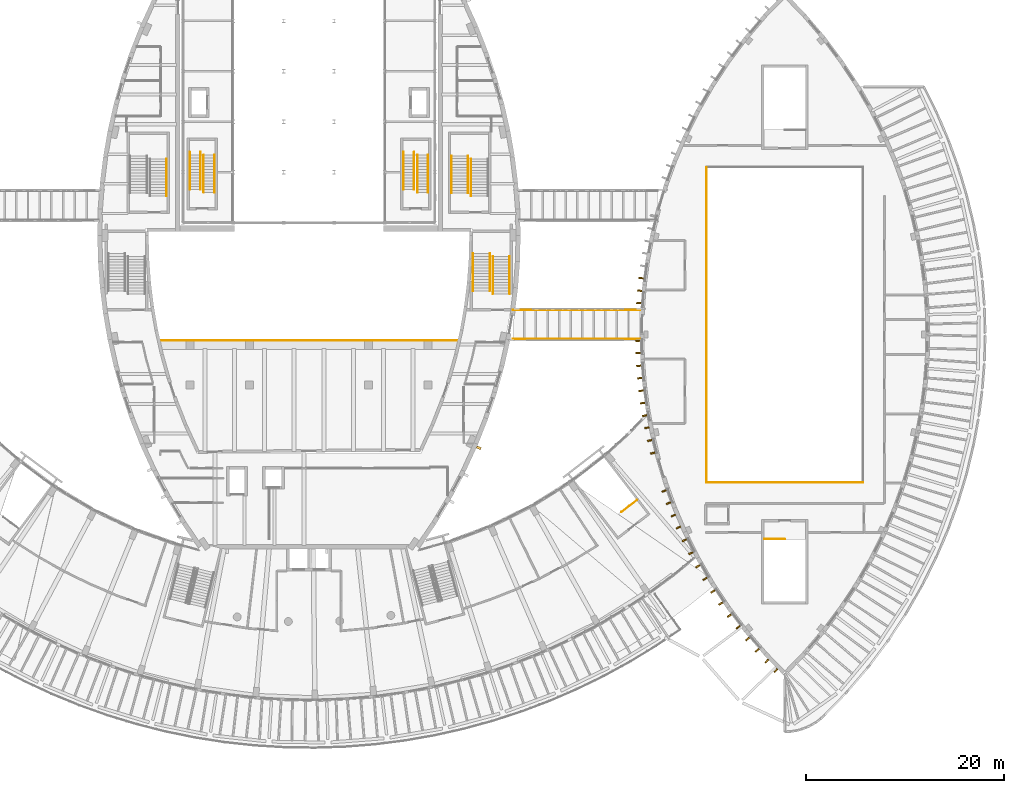
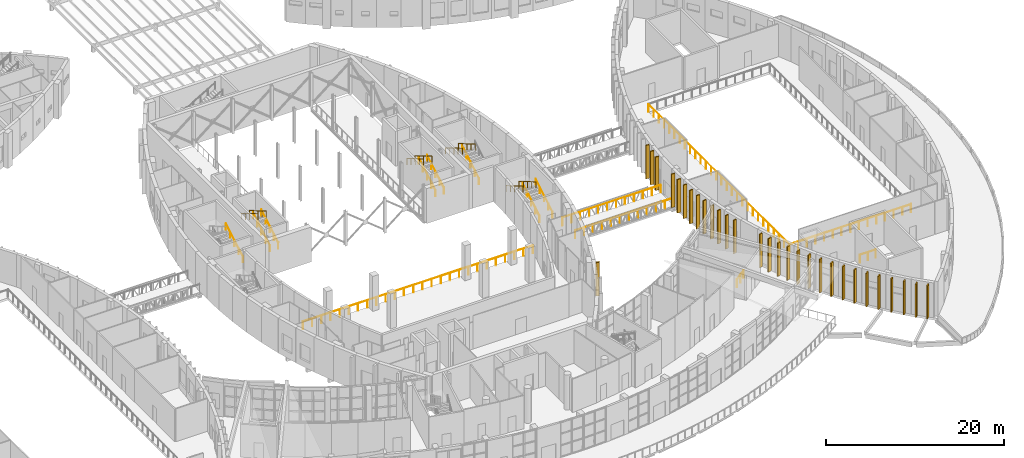
# One storey, part 86 of 93: 30 shading devices, 22 railings.
"""IFC4 building model written with IfcOpenShell, lengths in metres."""

from ifc_helpers import new_model, si_unit, direction, frame, origin, origin_2d, place, context, subcontext, project, spatial, rectangle, circle, extrude, material, layer, layer_set, type_object, element, save


model = new_model("IFC4")

# Units and contexts
model_context = context("Model", 3, precision=1e-05, world=origin(), true_north=direction((0.0, 1.0)))
body_context = subcontext(model_context, "Body", "Model", "MODEL_VIEW")
ifc_project = project(units=[si_unit("LENGTHUNIT", "METRE"), si_unit("AREAUNIT", "SQUARE_METRE"), si_unit("VOLUMEUNIT", "CUBIC_METRE"), si_unit("PLANEANGLEUNIT", "RADIAN"), si_unit("MASSUNIT", "GRAM", prefix="KILO")], contexts=[model_context])

# Site, building, storey
site_placement = place(None, origin())
site = spatial("IfcSite", under=ifc_project, at=site_placement, CompositionType="ELEMENT")
building_placement = place(site_placement, origin())
building = spatial("IfcBuilding", under=site, at=building_placement, Name="Tide Square Theatres", CompositionType="ELEMENT")
storey_placement = place(building_placement, frame((0.0, 0.0, 5.39990234375)))
storey = spatial("IfcBuildingStorey", under=building, at=storey_placement, Name="L01", CompositionType="ELEMENT", Elevation=5.39990234375)

# Shading devices
ifc_material_1 = material(Name="Concrete C40", Category="concrete")
ifc_layer = layer(ifc_material_1, 0.14990234375)
ifc_layer_set = layer_set([ifc_layer], Name="Concrete C40")
shading_device_type = type_object("IfcShadingDeviceType", Name="Concrete fin 450", PredefinedType="USERDEFINED", material=ifc_layer_set)
shading_device_placement = place(storey_placement, frame((101.13330078125, 33.55908203125, 0.0), z_axis=(0.0, 0.0, 1.0), x_axis=(0.416344267901, 0.90920704495, 0.0)))
element("IfcShadingDevice", 1, at=shading_device_placement, inside=storey, type_object=shading_device_type, Name="Concrete fin", ObjectType="BRISE-SOLEIL FIN", PredefinedType="USERDEFINED", context=body_context, shape_type="SweptSolid", body=[
    extrude(rectangle(XDim=0.25, YDim=0.449951171875, at=origin_2d()), origin(), (0.0, 0.0, 1.0), 4.60009765625),
])
for number, where, z_axis, x_axis, name in (
    (2, (117.496826171875, 50.686279296875, 0.0), (0.0, 0.0, 1.0), (-0.130785747402, -0.991410655721, 0.0), "Concrete fin"),
    (3, (117.36279296875, 49.41259765625, 0.0), (0.0, 0.0, 1.0), (-0.078615690168, -0.996904997108, 0.0), "Concrete fin"),
    (4, (117.2646484375, 48.167724609375, 0.0), (0.0, 0.0, 1.0), (-0.078615690168, -0.996904997108, 0.0), "Concrete fin"),
    (5, (117.16455078125, 44.359619140625, 0.0), (0.0, 0.0, 1.0), (0.026229290207, -0.999655952983, 0.0), "Concrete fin"),
    (6, (117.197509765625, 43.111328125, 0.0), (0.0, 0.0, 1.0), (0.026229290207, -0.999655952983, 0.0), "Concrete fin"),
    (7, (117.2646484375, 41.832275390625, 0.0), (0.0, 0.0, 1.0), (0.078615690168, -0.996904997108, 0.0), "Concrete fin"),
    (8, (117.36279296875, 40.58740234375, 0.0), (0.0, 0.0, 1.0), (0.078615690168, -0.996904997108, 0.0), "Concrete fin"),
    (9, (117.496826171875, 39.313720703125, 0.0), (0.0, 0.0, 1.0), (0.130785747402, -0.991410655721, 0.0), "Concrete fin"),
    (10, (117.66015625, 38.07568359375, 0.0), (0.0, 0.0, 1.0), (0.130785747402, -0.991410655721, 0.0), "Concrete fin"),
    (11, (117.86083984375, 36.810791015625, 0.0), (0.0, 0.0, 1.0), (0.182630214616, -0.983181674315, 0.0), "Concrete fin"),
    (12, (118.0888671875, 35.583251953125, 0.0), (0.0, 0.0, 1.0), (0.182630214616, -0.983181674315, 0.0), "Concrete fin"),
    (13, (118.36376953125, 34.30078125, 0.0), (0.0, 0.0, 1.0), (0.235142113103, -0.971961000579, 0.0), "Concrete fin"),
    (14, (118.67138671875, 33.029052734375, 0.0), (0.0, 0.0, 1.0), (0.235142113103, -0.971961000579, 0.0), "Concrete fin"),
    (15, (119.82177734375, 29.206787109375, 0.0), (0.0, 0.0, 1.0), (0.340379550213, -0.94028812701, 0.0), "Concrete fin"),
    (16, (120.26708984375, 27.976806640625, 0.0), (0.0, 0.0, 1.0), (0.340379550213, -0.94028812701, 0.0), "Concrete fin"),
    (17, (120.75830078125, 26.727783203125, 0.0), (0.0, 0.0, 1.0), (0.391518211689, -0.920170359181, 0.0), "Concrete fin"),
    (18, (121.2705078125, 25.5244140625, 0.0), (0.0, 0.0, 1.0), (0.391518211689, -0.920170359181, 0.0), "Concrete fin"),
    (19, (121.865966796875, 24.235595703125, 0.0), (0.0, 0.0, 1.0), (0.444338125475, -0.895859157596, 0.0), "Concrete fin"),
    (20, (122.5146484375, 22.927734375, 0.0), (0.0, 0.0, 1.0), (0.444338125475, -0.895859157596, 0.0), "Concrete fin"),
    (21, (123.220947265625, 21.607421875, 0.0), (0.0, 0.0, 1.0), (0.498442348463, -0.866922848504, 0.0), "Concrete fin"),
    (22, (123.948486328125, 20.341796875, 0.0), (0.0, 0.0, 1.0), (0.498442348463, -0.866922848504, 0.0), "Concrete fin"),
    (23, (124.734130859375, 19.0673828125, 0.0), (0.0, 0.0, 1.0), (0.550611870889, -0.834761383652, 0.0), "Concrete fin"),
    (24, (125.537841796875, 17.848876953125, 0.0), (0.0, 0.0, 1.0), (0.550611870889, -0.834761383652, 0.0), "Concrete fin"),
    (25, (126.400390625, 16.625, 0.0), (0.0, 0.0, 1.0), (0.600769096416, -0.799422599625, 0.0), "Concrete fin"),
    (26, (127.277099609375, 15.458251953125, 0.0), (0.0, 0.0, 1.0), (0.600769096416, -0.799422599625, 0.0), "Concrete fin"),
    (27, (128.22998046875, 14.2705078125, 0.0), (0.0, 0.0, 1.0), (0.649434776644, -0.760417300491, 0.0), "Concrete fin"),
    (28, (129.21044921875, 13.12255859375, 0.0), (0.0, 0.0, 1.0), (0.649434776644, -0.760417300491, 0.0), "Concrete fin"),
    (29, (130.183349609375, 12.04931640625, 0.0), (0.0, 0.0, 1.0), (0.696351345115, -0.717701054867, 0.0), "Concrete fin"),
    (30, (131.095458984375, 11.109130859375, 0.0), (0.0, 0.0, 1.0), (0.696351345115, -0.717701054867, 0.0), "Concrete fin"),
):
    element("IfcShadingDevice", number, at=place(storey_placement, frame(where, z_axis=z_axis, x_axis=x_axis)), inside=storey, type_object=shading_device_type, Name=name, ObjectType="BRISE-SOLEIL FIN", PredefinedType="USERDEFINED", context=body_context, shape_type="SweptSolid", body=[
        extrude(rectangle(XDim=0.14990234375, YDim=0.449951171875, at=origin_2d()), origin(), (0.0, 0.0, 1.0), 4.60009765625),
    ])

# Railings
ifc_material_2 = material(Name="Painted steel", Category="steel")
railing_type_1 = type_object("IfcRailingType", Name="Steel guard 1100", PredefinedType="GUARDRAIL", material=ifc_material_2)
for number, where, name in (
    (31, (117.399169921875, 47.449951171875, 0.0), "Bridge BR-E2 guard"),
    (32, (117.399169921875, 44.550048828125, 0.0), "Bridge BR-E2 guard"),
):
    element("IfcRailing", number, at=place(storey_placement, frame(where)), inside=storey, type_object=railing_type_1, Name=name, PredefinedType="GUARDRAIL", context=body_context, shape_type="SweptSolid", body=[
        extrude(circle(Radius=0.02392578125, at=origin_2d()), frame((0.0, 0.0, 1.076171875), z_axis=(-1.0, 0.0, 0.0), x_axis=(0.0, -1.0, 0.0)), (0.0, 0.0, 1.0), 12.83544921875),
        extrude(circle(Radius=0.02099609375, at=origin_2d()), origin(), (0.0, 0.0, 1.0), 1.052001953125),
        extrude(circle(Radius=0.02099609375, at=origin_2d()), frame((-1.166748046875, 0.0, 0.0)), (0.0, 0.0, 1.0), 1.052001953125),
        extrude(circle(Radius=0.02099609375, at=origin_2d()), frame((-2.333740234375, 0.0, 0.0)), (0.0, 0.0, 1.0), 1.052001953125),
        extrude(circle(Radius=0.02099609375, at=origin_2d()), frame((-3.50048828125, 0.0, 0.0)), (0.0, 0.0, 1.0), 1.052001953125),
        extrude(circle(Radius=0.02099609375, at=origin_2d()), frame((-4.66748046875, 0.0, 0.0)), (0.0, 0.0, 1.0), 1.052001953125),
        extrude(circle(Radius=0.02099609375, at=origin_2d()), frame((-5.834228515625, 0.0, 0.0)), (0.0, 0.0, 1.0), 1.052001953125),
        extrude(circle(Radius=0.02099609375, at=origin_2d()), frame((-7.001220703125, 0.0, 0.0)), (0.0, 0.0, 1.0), 1.052001953125),
        extrude(circle(Radius=0.02099609375, at=origin_2d()), frame((-8.16796875, 0.0, 0.0)), (0.0, 0.0, 1.0), 1.052001953125),
        extrude(circle(Radius=0.02099609375, at=origin_2d()), frame((-9.3349609375, 0.0, 0.0)), (0.0, 0.0, 1.0), 1.052001953125),
        extrude(circle(Radius=0.02099609375, at=origin_2d()), frame((-10.501708984375, 0.0, 0.0)), (0.0, 0.0, 1.0), 1.052001953125),
        extrude(circle(Radius=0.02099609375, at=origin_2d()), frame((-11.668701171875, 0.0, 0.0)), (0.0, 0.0, 1.0), 1.052001953125),
        extrude(circle(Radius=0.02099609375, at=origin_2d()), frame((-12.83544921875, 0.0, 0.0)), (0.0, 0.0, 1.0), 1.052001953125),
    ])
railing_1_placement = place(storey_placement, frame((129.929931640625, 24.351806640625, 0.0)))
element("IfcRailing", 33, at=railing_1_placement, inside=storey, type_object=railing_type_1, Name="Black Box Theatre stair well guard", PredefinedType="GUARDRAIL", context=body_context, shape_type="SweptSolid", body=[
    extrude(circle(Radius=0.02490234375, at=origin_2d()), frame((0.0, 0.0, 1.0751953125), z_axis=(1.0, 0.0, 0.0), x_axis=(0.0, 1.0, 0.0)), (0.0, 0.0, 1.0), 2.070068359375),
    extrude(circle(Radius=0.02001953125, at=origin_2d()), origin(), (0.0, 0.0, 1.0), 1.050048828125),
    extrude(circle(Radius=0.02001953125, at=origin_2d()), frame((1.03515625, 0.0, 0.0)), (0.0, 0.0, 1.0), 1.050048828125),
    extrude(circle(Radius=0.02001953125, at=origin_2d()), frame((2.070068359375, 0.0, 0.0)), (0.0, 0.0, 1.0), 1.050048828125),
])
railing_2_placement = place(storey_placement, frame((69.05126953125, 44.3798828125, 0.0)))
element("IfcRailing", 34, at=railing_2_placement, inside=storey, type_object=railing_type_1, Name="Dress circle front guard", PredefinedType="GUARDRAIL", context=body_context, shape_type="SweptSolid", body=[
    extrude(circle(Radius=0.02490234375, at=origin_2d()), frame((0.0, 0.0, 1.0751953125), z_axis=(1.0, 0.0, 0.0), x_axis=(0.0, 1.0, 0.0)), (0.0, 0.0, 1.0), 29.8974609375),
    extrude(circle(Radius=0.02001953125, at=origin_2d()), origin(), (0.0, 0.0, 1.0), 1.050048828125),
    extrude(circle(Radius=0.02001953125, at=origin_2d()), frame((1.19580078125, 0.0, 0.0)), (0.0, 0.0, 1.0), 1.050048828125),
    extrude(circle(Radius=0.02001953125, at=origin_2d()), frame((2.391845703125, 0.0, 0.0)), (0.0, 0.0, 1.0), 1.050048828125),
    extrude(circle(Radius=0.02001953125, at=origin_2d()), frame((3.587646484375, 0.0, 0.0)), (0.0, 0.0, 1.0), 1.050048828125),
    extrude(circle(Radius=0.02001953125, at=origin_2d()), frame((4.78369140625, 0.0, 0.0)), (0.0, 0.0, 1.0), 1.050048828125),
    extrude(circle(Radius=0.02001953125, at=origin_2d()), frame((5.9794921875, 0.0, 0.0)), (0.0, 0.0, 1.0), 1.050048828125),
    extrude(circle(Radius=0.02001953125, at=origin_2d()), frame((7.17529296875, 0.0, 0.0)), (0.0, 0.0, 1.0), 1.050048828125),
    extrude(circle(Radius=0.02001953125, at=origin_2d()), frame((8.371337890625, 0.0, 0.0)), (0.0, 0.0, 1.0), 1.050048828125),
    extrude(circle(Radius=0.02001953125, at=origin_2d()), frame((9.567138671875, 0.0, 0.0)), (0.0, 0.0, 1.0), 1.050048828125),
    extrude(circle(Radius=0.02001953125, at=origin_2d()), frame((10.76318359375, 0.0, 0.0)), (0.0, 0.0, 1.0), 1.050048828125),
    extrude(circle(Radius=0.02001953125, at=origin_2d()), frame((11.958984375, 0.0, 0.0)), (0.0, 0.0, 1.0), 1.050048828125),
    extrude(circle(Radius=0.02001953125, at=origin_2d()), frame((13.15478515625, 0.0, 0.0)), (0.0, 0.0, 1.0), 1.050048828125),
    extrude(circle(Radius=0.02001953125, at=origin_2d()), frame((14.350830078125, 0.0, 0.0)), (0.0, 0.0, 1.0), 1.050048828125),
    extrude(circle(Radius=0.02001953125, at=origin_2d()), frame((15.546630859375, 0.0, 0.0)), (0.0, 0.0, 1.0), 1.050048828125),
    extrude(circle(Radius=0.02001953125, at=origin_2d()), frame((16.74267578125, 0.0, 0.0)), (0.0, 0.0, 1.0), 1.050048828125),
    extrude(circle(Radius=0.02001953125, at=origin_2d()), frame((17.9384765625, 0.0, 0.0)), (0.0, 0.0, 1.0), 1.050048828125),
    extrude(circle(Radius=0.02001953125, at=origin_2d()), frame((19.13427734375, 0.0, 0.0)), (0.0, 0.0, 1.0), 1.050048828125),
    extrude(circle(Radius=0.02001953125, at=origin_2d()), frame((20.330322265625, 0.0, 0.0)), (0.0, 0.0, 1.0), 1.050048828125),
    extrude(circle(Radius=0.02001953125, at=origin_2d()), frame((21.526123046875, 0.0, 0.0)), (0.0, 0.0, 1.0), 1.050048828125),
    extrude(circle(Radius=0.02001953125, at=origin_2d()), frame((22.72216796875, 0.0, 0.0)), (0.0, 0.0, 1.0), 1.050048828125),
    extrude(circle(Radius=0.02001953125, at=origin_2d()), frame((23.91796875, 0.0, 0.0)), (0.0, 0.0, 1.0), 1.050048828125),
    extrude(circle(Radius=0.02001953125, at=origin_2d()), frame((25.11376953125, 0.0, 0.0)), (0.0, 0.0, 1.0), 1.050048828125),
    extrude(circle(Radius=0.02001953125, at=origin_2d()), frame((26.309814453125, 0.0, 0.0)), (0.0, 0.0, 1.0), 1.050048828125),
    extrude(circle(Radius=0.02001953125, at=origin_2d()), frame((27.505615234375, 0.0, 0.0)), (0.0, 0.0, 1.0), 1.050048828125),
    extrude(circle(Radius=0.02001953125, at=origin_2d()), frame((28.70166015625, 0.0, 0.0)), (0.0, 0.0, 1.0), 1.050048828125),
    extrude(circle(Radius=0.02001953125, at=origin_2d()), frame((29.8974609375, 0.0, 0.0)), (0.0, 0.0, 1.0), 1.050048828125),
])
railing_3_placement = place(storey_placement, frame((117.073974609375, 28.2841796875, 0.0)))
element("IfcRailing", 35, at=railing_3_placement, inside=storey, type_object=railing_type_1, Name="L01 F2 top well guard 1", PredefinedType="GUARDRAIL", context=body_context, shape_type="SweptSolid", body=[
    extrude(circle(Radius=0.02392578125, at=origin_2d()), frame((0.0, 0.0, 1.076171875), z_axis=(-0.7911555698, -0.611614964152, 0.0), x_axis=(0.611614964152, -0.7911555698, 0.0)), (0.0, 0.0, 1.0), 1.949951171875),
    extrude(circle(Radius=0.02099609375, at=origin_2d()), origin(), (0.0, 0.0, 1.0), 1.052001953125),
    extrude(circle(Radius=0.02099609375, at=origin_2d()), frame((-0.771484375, -0.59619140625, 0.0)), (0.0, 0.0, 1.0), 1.052001953125),
    extrude(circle(Radius=0.02099609375, at=origin_2d()), frame((-1.542724609375, -1.192626953125, 0.0)), (0.0, 0.0, 1.0), 1.052001953125),
])
railing_4_placement = place(storey_placement, frame((124.090087890625, 61.860107421875, 0.0)))
element("IfcRailing", 36, at=railing_4_placement, inside=storey, type_object=railing_type_1, Name="Black Box Theatre gallery guard", PredefinedType="GUARDRAIL", context=body_context, shape_type="SweptSolid", body=[
    extrude(circle(Radius=0.02490234375, at=origin_2d()), frame((0.0, 0.0, 1.0751953125), z_axis=(0.0, -1.0, 0.0), x_axis=(1.0, 0.0, 0.0)), (0.0, 0.0, 1.0), 31.77001953125),
    extrude(circle(Radius=0.02490234375, at=origin_2d()), frame((0.0, -31.77001953125, 1.0751953125), z_axis=(1.0, 0.0, 0.0), x_axis=(0.0, 1.0, 0.0)), (0.0, 0.0, 1.0), 15.81982421875),
    extrude(circle(Radius=0.02001953125, at=origin_2d()), origin(), (0.0, 0.0, 1.0), 1.050048828125),
    extrude(circle(Radius=0.02001953125, at=origin_2d()), frame((0.0, -1.1767578125, 0.0)), (0.0, 0.0, 1.0), 1.050048828125),
    extrude(circle(Radius=0.02001953125, at=origin_2d()), frame((0.0, -2.353271484375, 0.0)), (0.0, 0.0, 1.0), 1.050048828125),
    extrude(circle(Radius=0.02001953125, at=origin_2d()), frame((0.0, -3.530029296875, 0.0)), (0.0, 0.0, 1.0), 1.050048828125),
    extrude(circle(Radius=0.02001953125, at=origin_2d()), frame((0.0, -4.706787109375, 0.0)), (0.0, 0.0, 1.0), 1.050048828125),
    extrude(circle(Radius=0.02001953125, at=origin_2d()), frame((0.0, -5.88330078125, 0.0)), (0.0, 0.0, 1.0), 1.050048828125),
    extrude(circle(Radius=0.02001953125, at=origin_2d()), frame((0.0, -7.06005859375, 0.0)), (0.0, 0.0, 1.0), 1.050048828125),
    extrude(circle(Radius=0.02001953125, at=origin_2d()), frame((0.0, -8.236572265625, 0.0)), (0.0, 0.0, 1.0), 1.050048828125),
    extrude(circle(Radius=0.02001953125, at=origin_2d()), frame((0.0, -9.413330078125, 0.0)), (0.0, 0.0, 1.0), 1.050048828125),
    extrude(circle(Radius=0.02001953125, at=origin_2d()), frame((0.0, -10.590087890625, 0.0)), (0.0, 0.0, 1.0), 1.050048828125),
    extrude(circle(Radius=0.02001953125, at=origin_2d()), frame((0.0, -11.7666015625, 0.0)), (0.0, 0.0, 1.0), 1.050048828125),
    extrude(circle(Radius=0.02001953125, at=origin_2d()), frame((0.0, -12.943359375, 0.0)), (0.0, 0.0, 1.0), 1.050048828125),
    extrude(circle(Radius=0.02001953125, at=origin_2d()), frame((0.0, -14.1201171875, 0.0)), (0.0, 0.0, 1.0), 1.050048828125),
    extrude(circle(Radius=0.02001953125, at=origin_2d()), frame((0.0, -15.296630859375, 0.0)), (0.0, 0.0, 1.0), 1.050048828125),
    extrude(circle(Radius=0.02001953125, at=origin_2d()), frame((0.0, -16.473388671875, 0.0)), (0.0, 0.0, 1.0), 1.050048828125),
    extrude(circle(Radius=0.02001953125, at=origin_2d()), frame((0.0, -17.64990234375, 0.0)), (0.0, 0.0, 1.0), 1.050048828125),
    extrude(circle(Radius=0.02001953125, at=origin_2d()), frame((0.0, -18.82666015625, 0.0)), (0.0, 0.0, 1.0), 1.050048828125),
    extrude(circle(Radius=0.02001953125, at=origin_2d()), frame((0.0, -20.00341796875, 0.0)), (0.0, 0.0, 1.0), 1.050048828125),
    extrude(circle(Radius=0.02001953125, at=origin_2d()), frame((0.0, -21.179931640625, 0.0)), (0.0, 0.0, 1.0), 1.050048828125),
    extrude(circle(Radius=0.02001953125, at=origin_2d()), frame((0.0, -22.356689453125, 0.0)), (0.0, 0.0, 1.0), 1.050048828125),
    extrude(circle(Radius=0.02001953125, at=origin_2d()), frame((0.0, -23.533447265625, 0.0)), (0.0, 0.0, 1.0), 1.050048828125),
    extrude(circle(Radius=0.02001953125, at=origin_2d()), frame((0.0, -24.7099609375, 0.0)), (0.0, 0.0, 1.0), 1.050048828125),
    extrude(circle(Radius=0.02001953125, at=origin_2d()), frame((0.0, -25.88671875, 0.0)), (0.0, 0.0, 1.0), 1.050048828125),
    extrude(circle(Radius=0.02001953125, at=origin_2d()), frame((0.0, -27.063232421875, 0.0)), (0.0, 0.0, 1.0), 1.050048828125),
    extrude(circle(Radius=0.02001953125, at=origin_2d()), frame((0.0, -28.239990234375, 0.0)), (0.0, 0.0, 1.0), 1.050048828125),
    extrude(circle(Radius=0.02001953125, at=origin_2d()), frame((0.0, -29.416748046875, 0.0)), (0.0, 0.0, 1.0), 1.050048828125),
    extrude(circle(Radius=0.02001953125, at=origin_2d()), frame((0.0, -30.59326171875, 0.0)), (0.0, 0.0, 1.0), 1.050048828125),
    extrude(circle(Radius=0.02001953125, at=origin_2d()), frame((0.0, -31.77001953125, 0.0)), (0.0, 0.0, 1.0), 1.050048828125),
    extrude(circle(Radius=0.02001953125, at=origin_2d()), frame((1.1298828125, -31.77001953125, 0.0)), (0.0, 0.0, 1.0), 1.050048828125),
    extrude(circle(Radius=0.02001953125, at=origin_2d()), frame((2.260009765625, -31.77001953125, 0.0)), (0.0, 0.0, 1.0), 1.050048828125),
    extrude(circle(Radius=0.02001953125, at=origin_2d()), frame((3.389892578125, -31.77001953125, 0.0)), (0.0, 0.0, 1.0), 1.050048828125),
    extrude(circle(Radius=0.02001953125, at=origin_2d()), frame((4.52001953125, -31.77001953125, 0.0)), (0.0, 0.0, 1.0), 1.050048828125),
    extrude(circle(Radius=0.02001953125, at=origin_2d()), frame((5.64990234375, -31.77001953125, 0.0)), (0.0, 0.0, 1.0), 1.050048828125),
    extrude(circle(Radius=0.02001953125, at=origin_2d()), frame((6.780029296875, -31.77001953125, 0.0)), (0.0, 0.0, 1.0), 1.050048828125),
    extrude(circle(Radius=0.02001953125, at=origin_2d()), frame((7.909912109375, -31.77001953125, 0.0)), (0.0, 0.0, 1.0), 1.050048828125),
    extrude(circle(Radius=0.02001953125, at=origin_2d()), frame((9.039794921875, -31.77001953125, 0.0)), (0.0, 0.0, 1.0), 1.050048828125),
    extrude(circle(Radius=0.02001953125, at=origin_2d()), frame((10.169921875, -31.77001953125, 0.0)), (0.0, 0.0, 1.0), 1.050048828125),
    extrude(circle(Radius=0.02001953125, at=origin_2d()), frame((11.2998046875, -31.77001953125, 0.0)), (0.0, 0.0, 1.0), 1.050048828125),
    extrude(circle(Radius=0.02001953125, at=origin_2d()), frame((12.429931640625, -31.77001953125, 0.0)), (0.0, 0.0, 1.0), 1.050048828125),
    extrude(circle(Radius=0.02001953125, at=origin_2d()), frame((13.559814453125, -31.77001953125, 0.0)), (0.0, 0.0, 1.0), 1.050048828125),
    extrude(circle(Radius=0.02001953125, at=origin_2d()), frame((14.68994140625, -31.77001953125, 0.0)), (0.0, 0.0, 1.0), 1.050048828125),
    extrude(circle(Radius=0.02001953125, at=origin_2d()), frame((15.81982421875, -31.77001953125, 0.0)), (0.0, 0.0, 1.0), 1.050048828125),
])
ifc_material_3 = material(Name="Painted steel", Category="steel")
railing_type_2 = type_object("IfcRailingType", Name="Steel handrail 850", PredefinedType="HANDRAIL", material=ifc_material_3)
for number, where, name in (
    (37, (69.639892578125, 58.949951171875, 0.171630859375), "Stair handrail 1"),
    (38, (100.360107421875, 58.949951171875, 0.171630859375), "Stair handrail 2"),
):
    element("IfcRailing", number, at=place(storey_placement, frame(where)), inside=storey, type_object=railing_type_2, Name=name, PredefinedType="HANDRAIL", context=body_context, shape_type="SweptSolid", body=[
        extrude(circle(Radius=0.02490234375, at=origin_2d()), frame((0.0, 0.0, 0.8251953125), z_axis=(0.0, 0.860848830602, 0.508860777473), x_axis=(-1.0, 0.0, 0.0)), (0.0, 0.0, 1.0), 4.37939453125),
        extrude(circle(Radius=0.02001953125, at=origin_2d()), origin(), (0.0, 0.0, 1.0), 0.800048828125),
        extrude(circle(Radius=0.02001953125, at=origin_2d()), frame((0.0, 0.9423828125, 0.55712890625)), (0.0, 0.0, 1.0), 0.800048828125),
        extrude(circle(Radius=0.02001953125, at=origin_2d()), frame((0.0, 1.885009765625, 1.1142578125)), (0.0, 0.0, 1.0), 0.800048828125),
        extrude(circle(Radius=0.02001953125, at=origin_2d()), frame((0.0, 2.82763671875, 1.67138671875)), (0.0, 0.0, 1.0), 0.800048828125),
        extrude(circle(Radius=0.02001953125, at=origin_2d()), frame((0.0, 3.77001953125, 2.228515625)), (0.0, 0.0, 1.0), 0.800048828125),
    ])
for number, where, name in (
    (39, (100.0400390625, 63.014892578125, 2.571533203125), "Stair handrail 2"),
    (40, (98.360107421875, 63.014892578125, 2.571533203125), "Stair handrail 2"),
):
    element("IfcRailing", number, at=place(storey_placement, frame(where)), inside=storey, type_object=railing_type_2, Name=name, PredefinedType="HANDRAIL", context=body_context, shape_type="SweptSolid", body=[
        extrude(circle(Radius=0.02490234375, at=origin_2d()), frame((0.0, 0.0, 0.8251953125), z_axis=(0.0, -0.860848830602, 0.508860777473), x_axis=(1.0, 0.0, 0.0)), (0.0, 0.0, 1.0), 4.37939453125),
        extrude(circle(Radius=0.02001953125, at=origin_2d()), origin(), (0.0, 0.0, 1.0), 0.800048828125),
        extrude(circle(Radius=0.02001953125, at=origin_2d()), frame((0.0, -0.9423828125, 0.55712890625)), (0.0, 0.0, 1.0), 0.800048828125),
        extrude(circle(Radius=0.02001953125, at=origin_2d()), frame((0.0, -1.885009765625, 1.1142578125)), (0.0, 0.0, 1.0), 0.800048828125),
        extrude(circle(Radius=0.02001953125, at=origin_2d()), frame((0.0, -2.82763671875, 1.67138671875)), (0.0, 0.0, 1.0), 0.800048828125),
        extrude(circle(Radius=0.02001953125, at=origin_2d()), frame((0.0, -3.77001953125, 2.228515625)), (0.0, 0.0, 1.0), 0.800048828125),
    ])
for number, where, name in (
    (41, (104.239990234375, 49.10009765625, 0.171630859375), "Stair handrail 4"),
    (42, (102.56005859375, 49.10009765625, 0.171630859375), "Stair handrail 4"),
):
    element("IfcRailing", number, at=place(storey_placement, frame(where)), inside=storey, type_object=railing_type_2, Name=name, PredefinedType="HANDRAIL", context=body_context, shape_type="SweptSolid", body=[
        extrude(circle(Radius=0.02490234375, at=origin_2d()), frame((0.0, 0.0, 0.8251953125), z_axis=(0.0, 0.860848830602, 0.508860777473), x_axis=(-1.0, 0.0, 0.0)), (0.0, 0.0, 1.0), 4.37939453125),
        extrude(circle(Radius=0.02001953125, at=origin_2d()), origin(), (0.0, 0.0, 1.0), 0.800048828125),
        extrude(circle(Radius=0.02001953125, at=origin_2d()), frame((0.0, 0.9423828125, 0.55712890625)), (0.0, 0.0, 1.0), 0.800048828125),
        extrude(circle(Radius=0.02001953125, at=origin_2d()), frame((0.0, 1.885009765625, 1.1142578125)), (0.0, 0.0, 1.0), 0.800048828125),
        extrude(circle(Radius=0.02001953125, at=origin_2d()), frame((0.0, 2.82763671875, 1.67138671875)), (0.0, 0.0, 1.0), 0.800048828125),
        extrude(circle(Radius=0.02001953125, at=origin_2d()), frame((0.0, 3.77001953125, 2.228515625)), (0.0, 0.0, 1.0), 0.800048828125),
    ])
for number, where, name in (
    (43, (102.239990234375, 53.164794921875, 2.571533203125), "Stair handrail 4"),
    (44, (100.56005859375, 53.164794921875, 2.571533203125), "Stair handrail 4"),
):
    element("IfcRailing", number, at=place(storey_placement, frame(where)), inside=storey, type_object=railing_type_2, Name=name, PredefinedType="HANDRAIL", context=body_context, shape_type="SweptSolid", body=[
        extrude(circle(Radius=0.02490234375, at=origin_2d()), frame((0.0, 0.0, 0.8251953125), z_axis=(0.0, -0.860848830602, 0.508860777473), x_axis=(1.0, 0.0, 0.0)), (0.0, 0.0, 1.0), 4.37939453125),
        extrude(circle(Radius=0.02001953125, at=origin_2d()), origin(), (0.0, 0.0, 1.0), 0.800048828125),
        extrude(circle(Radius=0.02001953125, at=origin_2d()), frame((0.0, -0.9423828125, 0.55712890625)), (0.0, 0.0, 1.0), 0.800048828125),
        extrude(circle(Radius=0.02001953125, at=origin_2d()), frame((0.0, -1.885009765625, 1.1142578125)), (0.0, 0.0, 1.0), 0.800048828125),
        extrude(circle(Radius=0.02001953125, at=origin_2d()), frame((0.0, -2.82763671875, 1.67138671875)), (0.0, 0.0, 1.0), 0.800048828125),
        extrude(circle(Radius=0.02001953125, at=origin_2d()), frame((0.0, -3.77001953125, 2.228515625)), (0.0, 0.0, 1.0), 0.800048828125),
    ])
for number, where, name in (
    (45, (74.466064453125, 59.325927734375, 0.171630859375), "Stair handrail 11"),
    (46, (73.385986328125, 59.325927734375, 0.171630859375), "Stair handrail 11"),
):
    element("IfcRailing", number, at=place(storey_placement, frame(where)), inside=storey, type_object=railing_type_2, Name=name, PredefinedType="HANDRAIL", context=body_context, shape_type="SweptSolid", body=[
        extrude(circle(Radius=0.02490234375, at=origin_2d()), frame((0.0, 0.0, 0.8251953125), z_axis=(0.0, 0.860848830602, 0.508860777473), x_axis=(-1.0, 0.0, 0.0)), (0.0, 0.0, 1.0), 4.37939453125),
        extrude(circle(Radius=0.02001953125, at=origin_2d()), origin(), (0.0, 0.0, 1.0), 0.800048828125),
        extrude(circle(Radius=0.02001953125, at=origin_2d()), frame((0.0, 0.9423828125, 0.55712890625)), (0.0, 0.0, 1.0), 0.800048828125),
        extrude(circle(Radius=0.02001953125, at=origin_2d()), frame((0.0, 1.885009765625, 1.1142578125)), (0.0, 0.0, 1.0), 0.800048828125),
        extrude(circle(Radius=0.02001953125, at=origin_2d()), frame((0.0, 2.82763671875, 1.67138671875)), (0.0, 0.0, 1.0), 0.800048828125),
        extrude(circle(Radius=0.02001953125, at=origin_2d()), frame((0.0, 3.77001953125, 2.228515625)), (0.0, 0.0, 1.0), 0.800048828125),
    ])
for number, where, name in (
    (47, (73.06591796875, 63.390869140625, 2.571533203125), "Stair handrail 11"),
    (48, (71.986083984375, 63.390869140625, 2.571533203125), "Stair handrail 11"),
):
    element("IfcRailing", number, at=place(storey_placement, frame(where)), inside=storey, type_object=railing_type_2, Name=name, PredefinedType="HANDRAIL", context=body_context, shape_type="SweptSolid", body=[
        extrude(circle(Radius=0.02490234375, at=origin_2d()), frame((0.0, 0.0, 0.8251953125), z_axis=(0.0, -0.860848830602, 0.508860777473), x_axis=(1.0, 0.0, 0.0)), (0.0, 0.0, 1.0), 4.37939453125),
        extrude(circle(Radius=0.02001953125, at=origin_2d()), origin(), (0.0, 0.0, 1.0), 0.800048828125),
        extrude(circle(Radius=0.02001953125, at=origin_2d()), frame((0.0, -0.9423828125, 0.55712890625)), (0.0, 0.0, 1.0), 0.800048828125),
        extrude(circle(Radius=0.02001953125, at=origin_2d()), frame((0.0, -1.885009765625, 1.1142578125)), (0.0, 0.0, 1.0), 0.800048828125),
        extrude(circle(Radius=0.02001953125, at=origin_2d()), frame((0.0, -2.82763671875, 1.67138671875)), (0.0, 0.0, 1.0), 0.800048828125),
        extrude(circle(Radius=0.02001953125, at=origin_2d()), frame((0.0, -3.77001953125, 2.228515625)), (0.0, 0.0, 1.0), 0.800048828125),
    ])
for number, where, name in (
    (49, (96.013916015625, 59.325927734375, 0.171630859375), "Stair handrail 12"),
    (50, (94.93408203125, 59.325927734375, 0.171630859375), "Stair handrail 12"),
):
    element("IfcRailing", number, at=place(storey_placement, frame(where)), inside=storey, type_object=railing_type_2, Name=name, PredefinedType="HANDRAIL", context=body_context, shape_type="SweptSolid", body=[
        extrude(circle(Radius=0.02490234375, at=origin_2d()), frame((0.0, 0.0, 0.8251953125), z_axis=(0.0, 0.860848830602, 0.508860777473), x_axis=(-1.0, 0.0, 0.0)), (0.0, 0.0, 1.0), 4.37939453125),
        extrude(circle(Radius=0.02001953125, at=origin_2d()), origin(), (0.0, 0.0, 1.0), 0.800048828125),
        extrude(circle(Radius=0.02001953125, at=origin_2d()), frame((0.0, 0.9423828125, 0.55712890625)), (0.0, 0.0, 1.0), 0.800048828125),
        extrude(circle(Radius=0.02001953125, at=origin_2d()), frame((0.0, 1.885009765625, 1.1142578125)), (0.0, 0.0, 1.0), 0.800048828125),
        extrude(circle(Radius=0.02001953125, at=origin_2d()), frame((0.0, 2.82763671875, 1.67138671875)), (0.0, 0.0, 1.0), 0.800048828125),
        extrude(circle(Radius=0.02001953125, at=origin_2d()), frame((0.0, 3.77001953125, 2.228515625)), (0.0, 0.0, 1.0), 0.800048828125),
    ])
for number, where, name in (
    (51, (94.614013671875, 63.390869140625, 2.571533203125), "Stair handrail 12"),
    (52, (93.533935546875, 63.390869140625, 2.571533203125), "Stair handrail 12"),
):
    element("IfcRailing", number, at=place(storey_placement, frame(where)), inside=storey, type_object=railing_type_2, Name=name, PredefinedType="HANDRAIL", context=body_context, shape_type="SweptSolid", body=[
        extrude(circle(Radius=0.02490234375, at=origin_2d()), frame((0.0, 0.0, 0.8251953125), z_axis=(0.0, -0.860848830602, 0.508860777473), x_axis=(1.0, 0.0, 0.0)), (0.0, 0.0, 1.0), 4.37939453125),
        extrude(circle(Radius=0.02001953125, at=origin_2d()), origin(), (0.0, 0.0, 1.0), 0.800048828125),
        extrude(circle(Radius=0.02001953125, at=origin_2d()), frame((0.0, -0.9423828125, 0.55712890625)), (0.0, 0.0, 1.0), 0.800048828125),
        extrude(circle(Radius=0.02001953125, at=origin_2d()), frame((0.0, -1.885009765625, 1.1142578125)), (0.0, 0.0, 1.0), 0.800048828125),
        extrude(circle(Radius=0.02001953125, at=origin_2d()), frame((0.0, -2.82763671875, 1.67138671875)), (0.0, 0.0, 1.0), 0.800048828125),
        extrude(circle(Radius=0.02001953125, at=origin_2d()), frame((0.0, -3.77001953125, 2.228515625)), (0.0, 0.0, 1.0), 0.800048828125),
    ])

save(model, "model.ifc")
